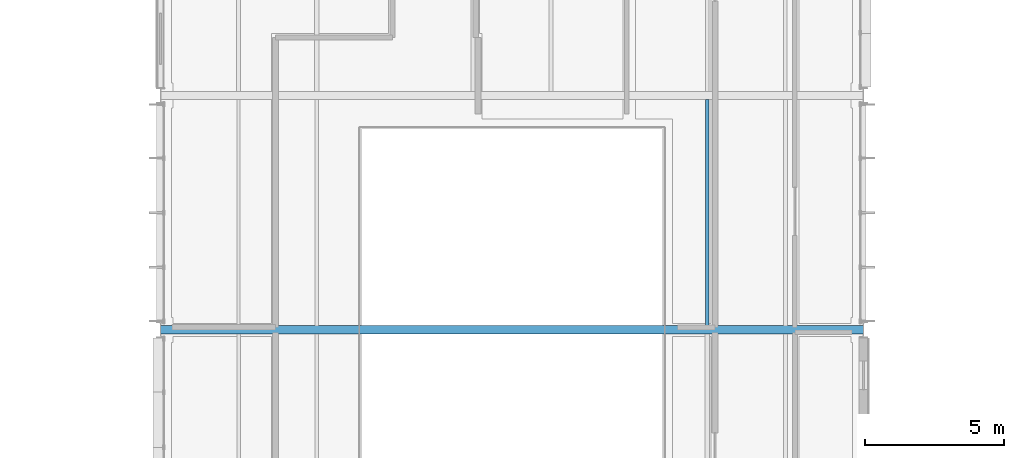
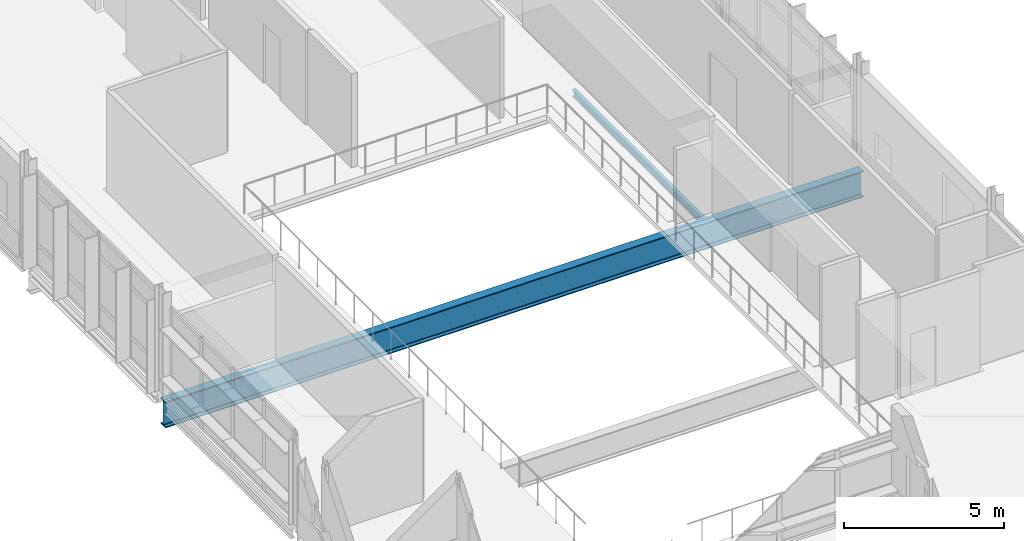
# One storey, part 54 of 131: 2 beams.
"""IFC4 building model written with IfcOpenShell, lengths in metres."""

from ifc_helpers import new_model, si_unit, direction, frame, origin, origin_2d, place, context, subcontext, project, spatial, i_section, extrude, material, material_profile, profile_set, type_object, element, save


model = new_model("IFC4")

# Units and contexts
model_context = context("Model", 3, precision=1e-05, world=origin(), true_north=direction((0.0, 1.0)))
body_context = subcontext(model_context, "Body", "Model", "MODEL_VIEW")
ifc_project = project(units=[si_unit("LENGTHUNIT", "METRE"), si_unit("AREAUNIT", "SQUARE_METRE"), si_unit("VOLUMEUNIT", "CUBIC_METRE"), si_unit("PLANEANGLEUNIT", "RADIAN"), si_unit("MASSUNIT", "GRAM", prefix="KILO")], contexts=[model_context])

# Site, building, storey
site_placement = place(None, origin())
site = spatial("IfcSite", under=ifc_project, at=site_placement, CompositionType="ELEMENT")
building_placement = place(site_placement, origin())
building = spatial("IfcBuilding", under=site, at=building_placement, Name="Mersafa Astral City Hall", CompositionType="ELEMENT")
storey_placement = place(building_placement, frame((0.0, 0.0, 13.949951171875)))
storey = spatial("IfcBuildingStorey", under=building, at=storey_placement, Name="L03", CompositionType="ELEMENT", Elevation=13.949951171875)

# Beams
ifc_material = material(Name="Steel S355", Category="steel")
ifc_material_profile_1 = material_profile(ifc_material, i_section(OverallWidth=0.135009765625, OverallDepth=0.27001953125, WebThickness=0.006591796875, FlangeThickness=0.01025390625, FilletRadius=0.014892578125, at=origin_2d()), Name="IPE 270")
ifc_profile_set_1 = profile_set([ifc_material_profile_1], Name="Steel S355")
beam_type_1 = type_object("IfcBeamType", Name="STR-BM-JOIST-IPE270", PredefinedType="JOIST", material=ifc_profile_set_1)
beam_1_placement = place(storey_placement, frame((112.0, 67.344970703125, -0.3349609375), z_axis=(0.0, 1.0, 0.0), x_axis=(-1.0, 0.0, 0.0)))
element("IfcBeam", 1, at=beam_1_placement, inside=storey, type_object=beam_type_1, Name="L03 Composite secondary floor joist 616", PredefinedType="JOIST", context=body_context, shape_type="SweptSolid", body=[
    extrude(i_section(OverallWidth=0.135009765625, OverallDepth=0.27001953125, WebThickness=0.006591796875, FlangeThickness=0.01025390625, FilletRadius=0.014892578125, at=origin_2d()), origin(), (0.0, 0.0, 1.0), 8.110107421875),
])
ifc_material_profile_2 = material_profile(ifc_material, i_section(OverallWidth=0.300048828125, OverallDepth=1.0, WebThickness=0.01904296875, FlangeThickness=0.035888671875, FilletRadius=0.030029296875, at=origin_2d()), Name="HEB 1000")
ifc_profile_set_2 = profile_set([ifc_material_profile_2], Name="Steel S355")
beam_type_2 = type_object("IfcBeamType", Name="STR-BM-PORTAL-HEB1000", PredefinedType="BEAM", material=ifc_profile_set_2)
beam_2_placement = place(storey_placement, frame((92.403076171875, 67.199951171875, -0.699951171875), z_axis=(1.0, 0.0, 0.0), x_axis=(0.0, 1.0, 0.0)))
element("IfcBeam", 2, at=beam_2_placement, inside=storey, type_object=beam_type_2, Name="L03 Public Service Hall clear-span portal girder 8", PredefinedType="BEAM", context=body_context, shape_type="SweptSolid", body=[
    extrude(i_section(OverallWidth=0.300048828125, OverallDepth=1.0, WebThickness=0.01904296875, FlangeThickness=0.035888671875, FilletRadius=0.030029296875, at=origin_2d()), origin(), (0.0, 0.0, 1.0), 25.19384765625),
])

save(model, "model.ifc")
